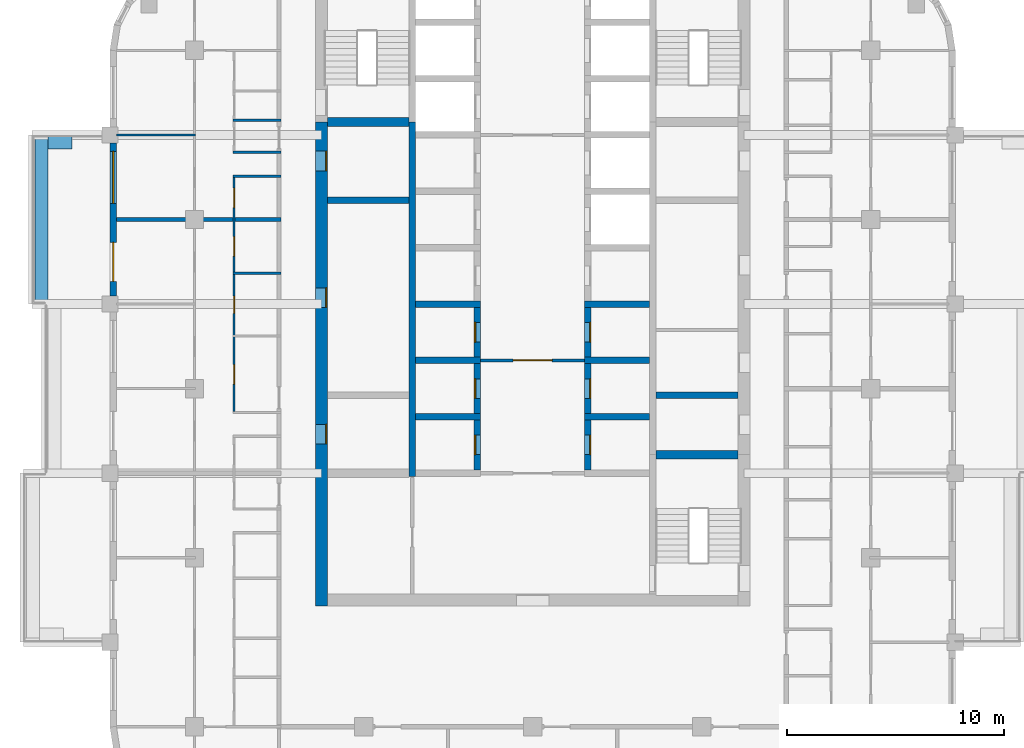
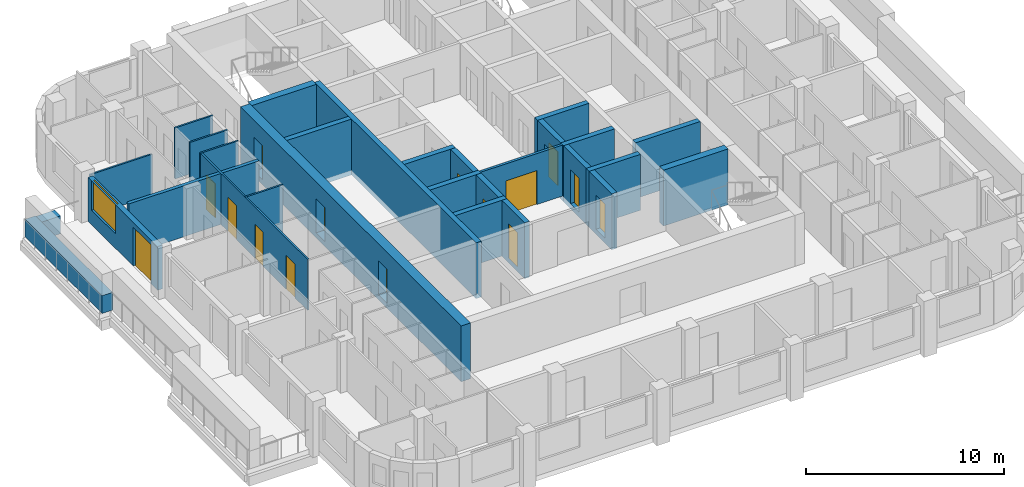
# One storey, part 4 of 13: 29 walls, 15 doors, 1 window, 16 openings.
"""IFC4 building model written with IfcOpenShell, lengths in metres."""

from ifc_helpers import new_model, si_unit, direction, frame, frame_2d, origin, place, context, subcontext, project, spatial, rectangle, extrude, material, layer, layer_set, type_object, element, fill, save


model = new_model("IFC4")

# Units and contexts
model_context = context("Model", 3, precision=1e-05, world=origin(), true_north=direction((0.0, 1.0)))
body_context = subcontext(model_context, "Body", "Model", "MODEL_VIEW")
ifc_project = project(units=[si_unit("LENGTHUNIT", "METRE"), si_unit("AREAUNIT", "SQUARE_METRE"), si_unit("VOLUMEUNIT", "CUBIC_METRE"), si_unit("PLANEANGLEUNIT", "RADIAN"), si_unit("MASSUNIT", "GRAM", prefix="KILO")], contexts=[model_context])

# Site, building, storey
site_placement = place(None, origin())
site = spatial("IfcSite", under=ifc_project, at=site_placement, CompositionType="ELEMENT")
building_placement = place(site_placement, origin())
building = spatial("IfcBuilding", under=site, at=building_placement, Name="Ludao Terraces", CompositionType="ELEMENT")
storey_placement = place(building_placement, frame((0.0, 0.0, 148.60009765625)))
storey = spatial("IfcBuildingStorey", under=building, at=storey_placement, Name="L40", CompositionType="ELEMENT", Elevation=148.60009765625)

# Wall, openings, doors
ifc_material_1 = material(Name="Concrete C60", Category="concrete")
ifc_layer_1 = layer(ifc_material_1, 0.550048828125)
ifc_layer_set_1 = layer_set([ifc_layer_1], Name="Core wall 550 C60")
wall_type_1 = type_object("IfcWallType", Name="Core wall 550 C60", PredefinedType="SOLIDWALL", material=ifc_layer_set_1)
wall_1_placement = place(storey_placement, frame((75.25, 54.97509765625, -0.300048828125), z_axis=(0.0, 0.0, 1.0), x_axis=(0.0, 1.0, 0.0)))
wall_1 = element("IfcWall", 1, at=wall_1_placement, inside=storey, type_object=wall_type_1, Name="Core wall L40 outer-W", PredefinedType="SOLIDWALL", context=body_context, shape_type="SweptSolid", body=[
    extrude(rectangle(XDim=22.324951171875, YDim=0.550048828125, at=frame_2d((11.16259765625, 0.0))), origin(), (0.0, 0.0, 1.0), 3.449951171875),
])
opening_1_placement = place(wall_1_placement, frame((7.47509765625, 0.0, 0.300048828125)))
opening_1 = element("IfcOpeningElement", 2, at=opening_1_placement, cuts=wall_1, Name="Opening R14-033", PredefinedType="OPENING", context=body_context, shape_type="SweptSolid", body=[
    extrude(rectangle(XDim=0.89990234375, YDim=2.10009765625, at=frame_2d((0.449951171875, 1.050048828125))), frame((0.0, 0.28515625, 0.0), z_axis=(0.0, -1.0, 0.0), x_axis=(1.0, 0.0, 0.0)), (0.0, 0.0, 1.0), 0.570068359375),
])
opening_2_placement = place(wall_1_placement, frame((13.77490234375, 0.0, 0.300048828125)))
opening_2 = element("IfcOpeningElement", 3, at=opening_2_placement, cuts=wall_1, Name="Opening R14-051", PredefinedType="OPENING", context=body_context, shape_type="SweptSolid", body=[
    extrude(rectangle(XDim=0.89990234375, YDim=2.10009765625, at=frame_2d((0.449951171875, 1.050048828125))), frame((0.0, 0.28515625, 0.0), z_axis=(0.0, -1.0, 0.0), x_axis=(1.0, 0.0, 0.0)), (0.0, 0.0, 1.0), 0.570068359375),
])
opening_3_placement = place(wall_1_placement, frame((20.074951171875, 0.0, 0.300048828125)))
opening_3 = element("IfcOpeningElement", 4, at=opening_3_placement, cuts=wall_1, Name="Opening R14-069", PredefinedType="OPENING", context=body_context, shape_type="SweptSolid", body=[
    extrude(rectangle(XDim=0.89990234375, YDim=2.10009765625, at=frame_2d((0.449951171875, 1.050048828125))), frame((0.0, 0.28515625, 0.0), z_axis=(0.0, -1.0, 0.0), x_axis=(1.0, 0.0, 0.0)), (0.0, 0.0, 1.0), 0.570068359375),
])
ifc_material_2 = material(Name="Steel Q235", Category="steel")
door_type_1 = type_object("IfcDoorType", Name="INT Riser door 900", OperationType="SINGLE_SWING_LEFT", PredefinedType="DOOR", material=ifc_material_2)
door_1_placement = place(opening_1_placement, origin())
door_1 = element("IfcDoor", 5, at=door_1_placement, inside=storey, type_object=door_type_1, Name="DOOR 033", OperationType="SINGLE_SWING_RIGHT", OverallHeight=2.10009765625, OverallWidth=0.89990234375, PredefinedType="DOOR", context=body_context, shape_type="SweptSolid", body=[
    extrude(rectangle(XDim=0.89990234375, YDim=2.10009765625, at=frame_2d((0.449951171875, 1.050048828125))), frame((0.0, -0.2099609375, 0.0), z_axis=(0.0, -1.0, 0.0), x_axis=(1.0, 0.0, 0.0)), (0.0, 0.0, 1.0), 0.050048828125),
])
fill(opening_1, door_1)
door_2_placement = place(opening_3_placement, origin())
door_2 = element("IfcDoor", 6, at=door_2_placement, inside=storey, type_object=door_type_1, Name="DOOR 069", OperationType="SINGLE_SWING_LEFT", OverallHeight=2.10009765625, OverallWidth=0.89990234375, PredefinedType="DOOR", context=body_context, shape_type="SweptSolid", body=[
    extrude(rectangle(XDim=0.89990234375, YDim=2.10009765625, at=frame_2d((0.449951171875, 1.050048828125))), frame((0.0, -0.2099609375, 0.0), z_axis=(0.0, -1.0, 0.0), x_axis=(1.0, 0.0, 0.0)), (0.0, 0.0, 1.0), 0.050048828125),
])
fill(opening_3, door_2)
ifc_material_3 = material(Name="Timber door leaf", Category="wood")
door_type_2 = type_object("IfcDoorType", Name="INT Room door 900", OperationType="SINGLE_SWING_LEFT", PredefinedType="DOOR", material=ifc_material_3)
door_3_placement = place(opening_2_placement, origin())
door_3 = element("IfcDoor", 7, at=door_3_placement, inside=storey, type_object=door_type_2, Name="DOOR 051", OperationType="SINGLE_SWING_LEFT", OverallHeight=2.10009765625, OverallWidth=0.89990234375, PredefinedType="DOOR", context=body_context, shape_type="SweptSolid", body=[
    extrude(rectangle(XDim=0.89990234375, YDim=2.10009765625, at=frame_2d((0.449951171875, 1.050048828125))), frame((0.0, -0.2099609375, 0.0), z_axis=(0.0, -1.0, 0.0), x_axis=(1.0, 0.0, 0.0)), (0.0, 0.0, 1.0), 0.050048828125),
])
fill(opening_2, door_3)

# Walls
ifc_material_4 = material(Name="Concrete C40", Category="concrete")
ifc_layer_2 = layer(ifc_material_4, 0.60009765625)
ifc_layer_set_2 = layer_set([ifc_layer_2], Name="ENV Planter trough 600")
wall_type_2 = type_object("IfcWallType", Name="ENV Planter trough 600", PredefinedType="USERDEFINED", material=ifc_layer_set_2)
wall_2_placement = place(storey_placement, frame((62.35009765625, 68.89990234375, 0.0), z_axis=(0.0, 0.0, 1.0), x_axis=(0.0, 1.0, 0.0)))
element("IfcWall", 8, at=wall_2_placement, inside=storey, type_object=wall_type_2, Name="PL-L40-W3", ObjectType="PLANTER", PredefinedType="USERDEFINED", context=body_context, shape_type="SweptSolid", body=[
    extrude(rectangle(XDim=7.800048828125, YDim=0.60009765625, at=frame_2d((3.89990234375, 0.0))), origin(), (0.0, 0.0, 1.0), 1.099853515625),
])
wall_3_placement = place(storey_placement, frame((62.64990234375, 76.35009765625, 0.0), z_axis=(0.0, 0.0, 1.0), x_axis=(1.0, 0.0, 0.0)))
element("IfcWall", 9, at=wall_3_placement, inside=storey, type_object=wall_type_2, Name="PL-L40-W3-SB", ObjectType="PLANTER", PredefinedType="USERDEFINED", context=body_context, shape_type="SweptSolid", body=[
    extrude(rectangle(XDim=1.10009765625, YDim=0.60009765625, at=frame_2d((0.550048828125, 0.0))), origin(), (0.0, 0.0, 1.0), 1.099853515625),
])

# Wall, openings, door, window
ifc_material_5 = material(Name="Granite cladding", Category="masonry")
ifc_layer_3 = layer(ifc_material_5, 0.0400390625, Category="stone")
ifc_material_6 = material(Name="Mineral wool")
ifc_layer_4 = layer(ifc_material_6, 0.06005859375)
ifc_layer_5 = layer(ifc_material_4, 0.199951171875, Category="concrete")
ifc_layer_set_3 = layer_set([ifc_layer_3, ifc_layer_4, ifc_layer_5], Name="ENV Stone-clad wall 300")
wall_type_3 = type_object("IfcWallType", Name="ENV Stone-clad wall 300", PredefinedType="SOLIDWALL", material=ifc_layer_set_3)
wall_4_placement = place(storey_placement, frame((65.64990234375, 69.27490234375, 0.0), z_axis=(0.0, 0.0, 1.0), x_axis=(0.0, 1.0, 0.0)))
wall_4 = element("IfcWall", 10, at=wall_4_placement, inside=storey, type_object=wall_type_3, Name="EW-L40-W4", PredefinedType="SOLIDWALL", context=body_context, shape_type="SweptSolid", body=[
    extrude(rectangle(XDim=7.050048828125, YDim=0.300048828125, at=frame_2d((3.52490234375, 0.0))), origin(), (0.0, 0.0, 1.0), 2.699951171875),
])
opening_4_placement = place(wall_4_placement, frame((0.675048828125, 0.0, 0.0)))
opening_4 = element("IfcOpeningElement", 11, at=opening_4_placement, cuts=wall_4, Name="Opening BD", PredefinedType="OPENING", context=body_context, shape_type="SweptSolid", body=[
    extrude(rectangle(XDim=1.800048828125, YDim=2.39990234375, at=frame_2d((0.89990234375, 1.199951171875))), frame((0.0, 0.16015625, 0.0), z_axis=(0.0, -1.0, 0.0), x_axis=(1.0, 0.0, 0.0)), (0.0, 0.0, 1.0), 0.320068359375),
])
opening_5_placement = place(wall_4_placement, frame((4.27490234375, 0.0, 0.89990234375)))
opening_5 = element("IfcOpeningElement", 12, at=opening_5_placement, cuts=wall_4, Name="Opening W1", PredefinedType="OPENING", context=body_context, shape_type="SweptSolid", body=[
    extrude(rectangle(XDim=2.39990234375, YDim=1.800048828125, at=frame_2d((1.199951171875, 0.89990234375))), frame((0.0, 0.16015625, 0.0), z_axis=(0.0, -1.0, 0.0), x_axis=(1.0, 0.0, 0.0)), (0.0, 0.0, 1.0), 0.320068359375),
])
ifc_material_7 = material(Name="Aluminium glazed door", Category="aluminium")
ifc_layer_6 = layer(ifc_material_7, 0.06005859375)
ifc_layer_set_4 = layer_set([ifc_layer_6], Name="ENV Balcony door BD 1800x2400")
door_type_3 = type_object("IfcDoorType", Name="ENV Balcony door BD 1800x2400", OperationType="DOUBLE_DOOR_SINGLE_SWING", PredefinedType="DOOR", material=ifc_layer_set_4)
door_4_placement = place(opening_4_placement, origin())
door_4 = element("IfcDoor", 13, at=door_4_placement, inside=storey, type_object=door_type_3, Name="BD-L40-W4-1", OperationType="DOUBLE_DOOR_SINGLE_SWING", OverallHeight=2.39990234375, OverallWidth=1.800048828125, PredefinedType="DOOR", context=body_context, shape_type="SweptSolid", body=[
    extrude(rectangle(XDim=1.800048828125, YDim=2.39990234375, at=frame_2d((0.89990234375, 1.199951171875))), frame((0.0, 0.02490234375, 0.0), z_axis=(0.0, -1.0, 0.0), x_axis=(1.0, 0.0, 0.0)), (0.0, 0.0, 1.0), 0.050048828125),
])
fill(opening_4, door_4)
ifc_material_8 = material(Name="Clear glass in aluminium frame", Category="aluminium")
ifc_layer_7 = layer(ifc_material_8, 0.06005859375)
ifc_layer_set_5 = layer_set([ifc_layer_7], Name="ENV Window W1 2400x1800")
window_type = type_object("IfcWindowType", Name="ENV Window W1 2400x1800", PartitioningType="DOUBLE_PANEL_VERTICAL", PredefinedType="WINDOW", material=ifc_layer_set_5)
window_placement = place(opening_5_placement, origin())
window = element("IfcWindow", 14, at=window_placement, inside=storey, type_object=window_type, Name="W-L40-W4-2", OverallHeight=1.800048828125, OverallWidth=2.39990234375, PartitioningType="DOUBLE_PANEL_VERTICAL", PredefinedType="WINDOW", context=body_context, shape_type="SweptSolid", body=[
    extrude(rectangle(XDim=2.39990234375, YDim=1.800048828125, at=frame_2d((1.199951171875, 0.89990234375))), frame((0.0, 0.030029296875, 0.0), z_axis=(0.0, -1.0, 0.0), x_axis=(1.0, 0.0, 0.0)), (0.0, 0.0, 1.0), 0.06005859375),
])
fill(opening_5, window)

# Wall, opening, door
ifc_material_9 = material(Name="Fire-rated gypsum plasterboard", Category="gypsum")
ifc_layer_8 = layer(ifc_material_9, 0.012451171875, Category="gypsum")
ifc_layer_9 = layer(ifc_material_6, 0.10009765625, Name="insulation")
ifc_layer_10 = layer(ifc_material_2, 0.02490234375, Name="stud")
ifc_layer_11 = layer(ifc_material_9, 0.012451171875, Category="gypsum")
ifc_layer_set_6 = layer_set([ifc_layer_8, ifc_layer_9, ifc_layer_10, ifc_layer_11], Name="INT Core partition 150")
wall_type_4 = type_object("IfcWallType", Name="INT Core partition 150", PredefinedType="PARTITIONING", material=ifc_layer_set_6)
wall_5_placement = place(storey_placement, frame((82.60009765625, 66.300048828125, 0.0), z_axis=(0.0, 0.0, 1.0), x_axis=(1.0, 0.0, 0.0)))
wall_5 = element("IfcWall", 15, at=wall_5_placement, inside=storey, type_object=wall_type_4, Name="PW-L40-PW024", PredefinedType="PARTITIONING", context=body_context, shape_type="SweptSolid", body=[
    extrude(rectangle(XDim=4.800048828125, YDim=0.14990234375, at=frame_2d((2.39990234375, 0.0))), origin(), (0.0, 0.0, 1.0), 3.14990234375),
])
opening_6_placement = place(wall_5_placement, frame((1.5, 0.0, 0.0)))
opening_6 = element("IfcOpeningElement", 16, at=opening_6_placement, cuts=wall_5, Name="Opening R14-044", PredefinedType="OPENING", context=body_context, shape_type="SweptSolid", body=[
    extrude(rectangle(XDim=1.800048828125, YDim=2.10009765625, at=frame_2d((0.89990234375, 1.050048828125))), frame((0.0, 0.0849609375, 0.0), z_axis=(0.0, -1.0, 0.0), x_axis=(1.0, 0.0, 0.0)), (0.0, 0.0, 1.0), 0.169921875),
])
door_type_4 = type_object("IfcDoorType", Name="INT Fire lobby door 1800", OperationType="DOUBLE_DOOR_SINGLE_SWING", PredefinedType="DOOR", material=ifc_material_2)
door_5_placement = place(opening_6_placement, origin())
door_5 = element("IfcDoor", 17, at=door_5_placement, inside=storey, type_object=door_type_4, Name="DOOR 044", OperationType="DOUBLE_DOOR_SINGLE_SWING", OverallHeight=2.10009765625, OverallWidth=1.800048828125, PredefinedType="DOOR", context=body_context, shape_type="SweptSolid", body=[
    extrude(rectangle(XDim=1.800048828125, YDim=2.10009765625, at=frame_2d((0.89990234375, 1.050048828125))), frame((0.0, 0.02490234375, 0.0), z_axis=(0.0, -1.0, 0.0), x_axis=(1.0, 0.0, 0.0)), (0.0, 0.0, 1.0), 0.050048828125),
])
fill(opening_6, door_5)

# Walls
ifc_material_10 = material(Name="Gypsum plasterboard", Category="gypsum")
ifc_layer_12 = layer(ifc_material_10, 0.012451171875, Category="gypsum")
ifc_layer_13 = layer(ifc_material_6, 0.06005859375, Name="insulation")
ifc_layer_14 = layer(ifc_material_2, 0.014892578125, Name="stud")
ifc_layer_15 = layer(ifc_material_10, 0.012451171875, Category="gypsum")
ifc_layer_set_7 = layer_set([ifc_layer_12, ifc_layer_13, ifc_layer_14, ifc_layer_15], Name="INT Partition 100")
wall_type_5 = type_object("IfcWallType", Name="INT Partition 100", PredefinedType="PARTITIONING", material=ifc_layer_set_7)
for number, where, z_axis, x_axis, name in (
    (18, (71.18017578125, 70.320068359375, 0.0), (0.0, 0.0, 1.0), (1.0, 0.0, 0.0), "PW-L40-PW030"),
    (19, (71.18017578125, 74.800048828125, 0.0), (0.0, 0.0, 1.0), (1.0, 0.0, 0.0), "PW-L40-PW035"),
    (20, (71.18017578125, 75.89990234375, 0.0), (0.0, 0.0, 1.0), (1.0, 0.0, 0.0), "PW-L40-PW037"),
):
    element("IfcWall", number, at=place(storey_placement, frame(where, z_axis=z_axis, x_axis=x_axis)), inside=storey, type_object=wall_type_5, Name=name, PredefinedType="PARTITIONING", context=body_context, shape_type="SweptSolid", body=[
        extrude(rectangle(XDim=2.219970703125, YDim=0.10009765625, at=frame_2d((1.10986328125, 0.0))), origin(), (0.0, 0.0, 1.0), 3.14990234375),
    ])
wall_6_placement = place(storey_placement, frame((65.800048828125, 76.699951171875, 0.0), z_axis=(0.0, 0.0, 1.0), x_axis=(1.0, 0.0, 0.0)))
element("IfcWall", 21, at=wall_6_placement, inside=storey, type_object=wall_type_5, Name="PW-L40-PW039", PredefinedType="PARTITIONING", context=body_context, shape_type="SweptSolid", body=[
    extrude(rectangle(XDim=3.650146484375, YDim=0.10009765625, at=frame_2d((1.8251953125, 0.0))), origin(), (0.0, 0.0, 1.0), 2.5498046875),
])
wall_7_placement = place(storey_placement, frame((71.18017578125, 77.3798828125, 0.0), z_axis=(0.0, 0.0, 1.0), x_axis=(1.0, 0.0, 0.0)))
element("IfcWall", 22, at=wall_7_placement, inside=storey, type_object=wall_type_5, Name="PW-L40-PW043", PredefinedType="PARTITIONING", context=body_context, shape_type="SweptSolid", body=[
    extrude(rectangle(XDim=2.219970703125, YDim=0.10009765625, at=frame_2d((1.10986328125, 0.0))), origin(), (0.0, 0.0, 1.0), 3.14990234375),
])

# Wall, openings, doors
wall_8_placement = place(storey_placement, frame((71.22998046875, 63.9501953125, 0.0), z_axis=(0.0, 0.0, 1.0), x_axis=(0.0, 1.0, 0.0)))
wall_8 = element("IfcWall", 23, at=wall_8_placement, inside=storey, type_object=wall_type_5, Name="PW-L40-PW051", PredefinedType="PARTITIONING", context=body_context, shape_type="SweptSolid", body=[
    extrude(rectangle(XDim=10.7998046875, YDim=0.10009765625, at=frame_2d((5.39990234375, 0.0))), origin(), (0.0, 0.0, 1.0), 3.14990234375),
])
opening_7_placement = place(wall_8_placement, frame((1.260009765625, 0.0, 0.0)))
opening_7 = element("IfcOpeningElement", 24, at=opening_7_placement, cuts=wall_8, Name="Opening R14-041", PredefinedType="OPENING", context=body_context, shape_type="SweptSolid", body=[
    extrude(rectangle(XDim=0.89990234375, YDim=2.10009765625, at=frame_2d((0.449951171875, 1.050048828125))), frame((0.0, 0.06005859375, 0.0), z_axis=(0.0, -1.0, 0.0), x_axis=(1.0, 0.0, 0.0)), (0.0, 0.0, 1.0), 0.1201171875),
])
opening_8_placement = place(wall_8_placement, frame((4.52001953125, 0.0, 0.0)))
opening_8 = element("IfcOpeningElement", 25, at=opening_8_placement, cuts=wall_8, Name="Opening R14-049", PredefinedType="OPENING", context=body_context, shape_type="SweptSolid", body=[
    extrude(rectangle(XDim=0.800048828125, YDim=2.10009765625, at=frame_2d((0.39990234375, 1.050048828125))), frame((0.0, 0.06005859375, 0.0), z_axis=(0.0, -1.0, 0.0), x_axis=(1.0, 0.0, 0.0)), (0.0, 0.0, 1.0), 0.1201171875),
])
opening_9_placement = place(wall_8_placement, frame((7.159912109375, 0.0, 0.0)))
opening_9 = element("IfcOpeningElement", 26, at=opening_9_placement, cuts=wall_8, Name="Opening R14-058", PredefinedType="OPENING", context=body_context, shape_type="SweptSolid", body=[
    extrude(rectangle(XDim=0.89990234375, YDim=2.10009765625, at=frame_2d((0.449951171875, 1.050048828125))), frame((0.0, 0.06005859375, 0.0), z_axis=(0.0, -1.0, 0.0), x_axis=(1.0, 0.0, 0.0)), (0.0, 0.0, 1.0), 0.1201171875),
])
opening_10_placement = place(wall_8_placement, frame((9.39990234375, 0.0, 0.0)))
opening_10 = element("IfcOpeningElement", 27, at=opening_10_placement, cuts=wall_8, Name="Opening R14-062", PredefinedType="OPENING", context=body_context, shape_type="SweptSolid", body=[
    extrude(rectangle(XDim=0.89990234375, YDim=2.10009765625, at=frame_2d((0.449951171875, 1.050048828125))), frame((0.0, 0.06005859375, 0.0), z_axis=(0.0, -1.0, 0.0), x_axis=(1.0, 0.0, 0.0)), (0.0, 0.0, 1.0), 0.1201171875),
])
door_type_5 = type_object("IfcDoorType", Name="INT Bathroom door 900", OperationType="SINGLE_SWING_LEFT", PredefinedType="DOOR", material=ifc_material_3)
door_6_placement = place(opening_9_placement, origin())
door_6 = element("IfcDoor", 28, at=door_6_placement, inside=storey, type_object=door_type_5, Name="DOOR 058", OperationType="SINGLE_SWING_LEFT", OverallHeight=2.10009765625, OverallWidth=0.89990234375, PredefinedType="DOOR", context=body_context, shape_type="SweptSolid", body=[
    extrude(rectangle(XDim=0.89990234375, YDim=2.10009765625, at=frame_2d((0.449951171875, 1.050048828125))), frame((0.0, 0.02490234375, 0.0), z_axis=(0.0, -1.0, 0.0), x_axis=(1.0, 0.0, 0.0)), (0.0, 0.0, 1.0), 0.050048828125),
])
fill(opening_9, door_6)
door_7_placement = place(opening_10_placement, origin())
door_7 = element("IfcDoor", 29, at=door_7_placement, inside=storey, type_object=door_type_5, Name="DOOR 062", OperationType="SINGLE_SWING_RIGHT", OverallHeight=2.10009765625, OverallWidth=0.89990234375, PredefinedType="DOOR", context=body_context, shape_type="SweptSolid", body=[
    extrude(rectangle(XDim=0.89990234375, YDim=2.10009765625, at=frame_2d((0.449951171875, 1.050048828125))), frame((0.0, 0.02490234375, 0.0), z_axis=(0.0, -1.0, 0.0), x_axis=(1.0, 0.0, 0.0)), (0.0, 0.0, 1.0), 0.050048828125),
])
fill(opening_10, door_7)
door_8_placement = place(opening_7_placement, origin())
door_8 = element("IfcDoor", 30, at=door_8_placement, inside=storey, type_object=door_type_2, Name="DOOR 041", OperationType="SINGLE_SWING_RIGHT", OverallHeight=2.10009765625, OverallWidth=0.89990234375, PredefinedType="DOOR", context=body_context, shape_type="SweptSolid", body=[
    extrude(rectangle(XDim=0.89990234375, YDim=2.10009765625, at=frame_2d((0.449951171875, 1.050048828125))), frame((0.0, 0.02490234375, 0.0), z_axis=(0.0, -1.0, 0.0), x_axis=(1.0, 0.0, 0.0)), (0.0, 0.0, 1.0), 0.050048828125),
])
fill(opening_7, door_8)
door_type_6 = type_object("IfcDoorType", Name="INT Store door 800", OperationType="SINGLE_SWING_LEFT", PredefinedType="DOOR", material=ifc_material_3)
door_9_placement = place(opening_8_placement, origin())
door_9 = element("IfcDoor", 31, at=door_9_placement, inside=storey, type_object=door_type_6, Name="DOOR 049", OperationType="SINGLE_SWING_RIGHT", OverallHeight=2.10009765625, OverallWidth=0.800048828125, PredefinedType="DOOR", context=body_context, shape_type="SweptSolid", body=[
    extrude(rectangle(XDim=0.800048828125, YDim=2.10009765625, at=frame_2d((0.39990234375, 1.050048828125))), frame((0.0, 0.02490234375, 0.0), z_axis=(0.0, -1.0, 0.0), x_axis=(1.0, 0.0, 0.0)), (0.0, 0.0, 1.0), 0.050048828125),
])
fill(opening_8, door_9)

# Walls
ifc_material_11 = material(Name="Autoclaved aerated concrete block B06 A3.5", Category="concrete")
ifc_layer_16 = layer(ifc_material_11, 0.199951171875)
ifc_layer_set_8 = layer_set([ifc_layer_16], Name="INT Party wall 200")
wall_type_6 = type_object("IfcWallType", Name="INT Party wall 200", PredefinedType="PARTITIONING", material=ifc_layer_set_8)
wall_9_placement = place(storey_placement, frame((65.800048828125, 72.800048828125, 0.0), z_axis=(0.0, 0.0, 1.0), x_axis=(1.0, 0.0, 0.0)))
element("IfcWall", 32, at=wall_9_placement, inside=storey, type_object=wall_type_6, Name="PW-L40-PW033", PredefinedType="PARTITIONING", context=body_context, shape_type="SweptSolid", body=[
    extrude(rectangle(XDim=7.60009765625, YDim=0.199951171875, at=frame_2d((3.800048828125, 0.0))), origin(), (0.0, 0.0, 1.0), 3.14990234375),
])
ifc_material_12 = material(Name="Concrete C55", Category="concrete")
ifc_layer_17 = layer(ifc_material_12, 0.300048828125)
ifc_layer_set_9 = layer_set([ifc_layer_17], Name="Shaft wall 300 C55")
wall_type_7 = type_object("IfcWallType", Name="Shaft wall 300 C55", PredefinedType="SOLIDWALL", material=ifc_layer_set_9)
wall_10_placement = place(storey_placement, frame((79.449951171875, 60.949951171875, -0.300048828125), z_axis=(0.0, 0.0, 1.0), x_axis=(0.0, 1.0, 0.0)))
element("IfcWall", 33, at=wall_10_placement, inside=storey, type_object=wall_type_7, Name="Core wall L40 back-W", PredefinedType="SOLIDWALL", context=body_context, shape_type="SweptSolid", body=[
    extrude(rectangle(XDim=16.35009765625, YDim=0.300048828125, at=frame_2d((8.175048828125, 0.0))), origin(), (0.0, 0.0, 1.0), 3.449951171875),
])

# Wall, opening, door
wall_11_placement = place(storey_placement, frame((82.449951171875, 61.25, -0.300048828125), z_axis=(0.0, 0.0, 1.0), x_axis=(0.0, 1.0, 0.0)))
wall_11 = element("IfcWall", 34, at=wall_11_placement, inside=storey, type_object=wall_type_7, Name="Core wall L40 front-W1", PredefinedType="SOLIDWALL", context=body_context, shape_type="SweptSolid", body=[
    extrude(rectangle(XDim=2.300048828125, YDim=0.300048828125, at=frame_2d((1.14990234375, 0.0))), origin(), (0.0, 0.0, 1.0), 3.449951171875),
])
opening_11_placement = place(wall_11_placement, frame((0.699951171875, 0.0, 0.300048828125)))
opening_11 = element("IfcOpeningElement", 35, at=opening_11_placement, cuts=wall_11, Name="Opening R14-031", PredefinedType="OPENING", context=body_context, shape_type="SweptSolid", body=[
    extrude(rectangle(XDim=0.89990234375, YDim=2.10009765625, at=frame_2d((0.449951171875, 1.050048828125))), frame((0.0, 0.16015625, 0.0), z_axis=(0.0, -1.0, 0.0), x_axis=(1.0, 0.0, 0.0)), (0.0, 0.0, 1.0), 0.320068359375),
])
door_10_placement = place(opening_11_placement, origin())
door_10 = element("IfcDoor", 36, at=door_10_placement, inside=storey, type_object=door_type_2, Name="DOOR 031", OperationType="SINGLE_SWING_RIGHT", OverallHeight=2.10009765625, OverallWidth=0.89990234375, PredefinedType="DOOR", context=body_context, shape_type="SweptSolid", body=[
    extrude(rectangle(XDim=0.89990234375, YDim=2.10009765625, at=frame_2d((0.449951171875, 1.050048828125))), frame((0.0, 0.13525390625, 0.0), z_axis=(0.0, -1.0, 0.0), x_axis=(1.0, 0.0, 0.0)), (0.0, 0.0, 1.0), 0.050048828125),
])
fill(opening_11, door_10)

# Wall
wall_12_placement = place(storey_placement, frame((79.60009765625, 63.699951171875, -0.300048828125), z_axis=(0.0, 0.0, 1.0), x_axis=(1.0, 0.0, 0.0)))
element("IfcWall", 37, at=wall_12_placement, inside=storey, type_object=wall_type_7, Name="Core wall L40 div-W2", PredefinedType="SOLIDWALL", context=body_context, shape_type="SweptSolid", body=[
    extrude(rectangle(XDim=3.0, YDim=0.300048828125, at=frame_2d((1.5, 0.0))), origin(), (0.0, 0.0, 1.0), 3.449951171875),
])

# Wall, opening, door
wall_13_placement = place(storey_placement, frame((82.449951171875, 63.85009765625, -0.300048828125), z_axis=(0.0, 0.0, 1.0), x_axis=(0.0, 1.0, 0.0)))
wall_13 = element("IfcWall", 38, at=wall_13_placement, inside=storey, type_object=wall_type_7, Name="Core wall L40 front-W2", PredefinedType="SOLIDWALL", context=body_context, shape_type="SweptSolid", body=[
    extrude(rectangle(XDim=2.2998046875, YDim=0.300048828125, at=frame_2d((1.14990234375, 0.0))), origin(), (0.0, 0.0, 1.0), 3.449951171875),
])
opening_12_placement = place(wall_13_placement, frame((0.699951171875, 0.0, 0.300048828125)))
opening_12 = element("IfcOpeningElement", 39, at=opening_12_placement, cuts=wall_13, Name="Opening R14-039", PredefinedType="OPENING", context=body_context, shape_type="SweptSolid", body=[
    extrude(rectangle(XDim=0.89990234375, YDim=2.10009765625, at=frame_2d((0.449951171875, 1.050048828125))), frame((0.0, 0.16015625, 0.0), z_axis=(0.0, -1.0, 0.0), x_axis=(1.0, 0.0, 0.0)), (0.0, 0.0, 1.0), 0.320068359375),
])
door_11_placement = place(opening_12_placement, origin())
door_11 = element("IfcDoor", 40, at=door_11_placement, inside=storey, type_object=door_type_2, Name="DOOR 039", OperationType="SINGLE_SWING_LEFT", OverallHeight=2.10009765625, OverallWidth=0.89990234375, PredefinedType="DOOR", context=body_context, shape_type="SweptSolid", body=[
    extrude(rectangle(XDim=0.89990234375, YDim=2.10009765625, at=frame_2d((0.449951171875, 1.050048828125))), frame((0.0, 0.13525390625, 0.0), z_axis=(0.0, -1.0, 0.0), x_axis=(1.0, 0.0, 0.0)), (0.0, 0.0, 1.0), 0.050048828125),
])
fill(opening_12, door_11)

# Wall
wall_14_placement = place(storey_placement, frame((79.60009765625, 66.300048828125, -0.300048828125), z_axis=(0.0, 0.0, 1.0), x_axis=(1.0, 0.0, 0.0)))
element("IfcWall", 41, at=wall_14_placement, inside=storey, type_object=wall_type_7, Name="Core wall L40 div-W3", PredefinedType="SOLIDWALL", context=body_context, shape_type="SweptSolid", body=[
    extrude(rectangle(XDim=3.0, YDim=0.300048828125, at=frame_2d((1.5, 0.0))), origin(), (0.0, 0.0, 1.0), 3.449951171875),
])

# Wall, opening, door
wall_15_placement = place(storey_placement, frame((82.449951171875, 66.449951171875, -0.300048828125), z_axis=(0.0, 0.0, 1.0), x_axis=(0.0, 1.0, 0.0)))
wall_15 = element("IfcWall", 42, at=wall_15_placement, inside=storey, type_object=wall_type_7, Name="Core wall L40 front-W3", PredefinedType="SOLIDWALL", context=body_context, shape_type="SweptSolid", body=[
    extrude(rectangle(XDim=2.300048828125, YDim=0.300048828125, at=frame_2d((1.14990234375, 0.0))), origin(), (0.0, 0.0, 1.0), 3.449951171875),
])
opening_13_placement = place(wall_15_placement, frame((0.699951171875, 0.0, 0.300048828125)))
opening_13 = element("IfcOpeningElement", 43, at=opening_13_placement, cuts=wall_15, Name="Opening R14-047", PredefinedType="OPENING", context=body_context, shape_type="SweptSolid", body=[
    extrude(rectangle(XDim=0.89990234375, YDim=2.10009765625, at=frame_2d((0.449951171875, 1.050048828125))), frame((0.0, 0.16015625, 0.0), z_axis=(0.0, -1.0, 0.0), x_axis=(1.0, 0.0, 0.0)), (0.0, 0.0, 1.0), 0.320068359375),
])
door_12_placement = place(opening_13_placement, origin())
door_12 = element("IfcDoor", 44, at=door_12_placement, inside=storey, type_object=door_type_2, Name="DOOR 047", OperationType="SINGLE_SWING_RIGHT", OverallHeight=2.10009765625, OverallWidth=0.89990234375, PredefinedType="DOOR", context=body_context, shape_type="SweptSolid", body=[
    extrude(rectangle(XDim=0.89990234375, YDim=2.10009765625, at=frame_2d((0.449951171875, 1.050048828125))), frame((0.0, 0.13525390625, 0.0), z_axis=(0.0, -1.0, 0.0), x_axis=(1.0, 0.0, 0.0)), (0.0, 0.0, 1.0), 0.050048828125),
])
fill(opening_13, door_12)

# Wall
wall_16_placement = place(storey_placement, frame((79.60009765625, 68.89990234375, -0.300048828125), z_axis=(0.0, 0.0, 1.0), x_axis=(1.0, 0.0, 0.0)))
element("IfcWall", 45, at=wall_16_placement, inside=storey, type_object=wall_type_7, Name="Core wall L40 div-W4", PredefinedType="SOLIDWALL", context=body_context, shape_type="SweptSolid", body=[
    extrude(rectangle(XDim=3.0, YDim=0.300048828125, at=frame_2d((1.5, 0.0))), origin(), (0.0, 0.0, 1.0), 3.449951171875),
])

# Wall, opening, door
wall_17_placement = place(storey_placement, frame((87.550048828125, 61.25, -0.300048828125), z_axis=(0.0, 0.0, 1.0), x_axis=(0.0, 1.0, 0.0)))
wall_17 = element("IfcWall", 46, at=wall_17_placement, inside=storey, type_object=wall_type_7, Name="Core wall L40 front-E1", PredefinedType="SOLIDWALL", context=body_context, shape_type="SweptSolid", body=[
    extrude(rectangle(XDim=2.300048828125, YDim=0.300048828125, at=frame_2d((1.14990234375, 0.0))), origin(), (0.0, 0.0, 1.0), 3.449951171875),
])
opening_14_placement = place(wall_17_placement, frame((0.699951171875, 0.0, 0.300048828125)))
opening_14 = element("IfcOpeningElement", 47, at=opening_14_placement, cuts=wall_17, Name="Opening R14-032", PredefinedType="OPENING", context=body_context, shape_type="SweptSolid", body=[
    extrude(rectangle(XDim=0.89990234375, YDim=2.10009765625, at=frame_2d((0.449951171875, 1.050048828125))), frame((0.0, 0.16015625, 0.0), z_axis=(0.0, -1.0, 0.0), x_axis=(1.0, 0.0, 0.0)), (0.0, 0.0, 1.0), 0.320068359375),
])
door_13_placement = place(opening_14_placement, origin())
door_13 = element("IfcDoor", 48, at=door_13_placement, inside=storey, type_object=door_type_2, Name="DOOR 032", OperationType="SINGLE_SWING_LEFT", OverallHeight=2.10009765625, OverallWidth=0.89990234375, PredefinedType="DOOR", context=body_context, shape_type="SweptSolid", body=[
    extrude(rectangle(XDim=0.89990234375, YDim=2.10009765625, at=frame_2d((0.449951171875, 1.050048828125))), frame((0.0, -0.0849609375, 0.0), z_axis=(0.0, -1.0, 0.0), x_axis=(1.0, 0.0, 0.0)), (0.0, 0.0, 1.0), 0.050048828125),
])
fill(opening_14, door_13)

# Wall
wall_18_placement = place(storey_placement, frame((87.39990234375, 63.699951171875, -0.300048828125), z_axis=(0.0, 0.0, 1.0), x_axis=(1.0, 0.0, 0.0)))
element("IfcWall", 49, at=wall_18_placement, inside=storey, type_object=wall_type_7, Name="Core wall L40 div-E2", PredefinedType="SOLIDWALL", context=body_context, shape_type="SweptSolid", body=[
    extrude(rectangle(XDim=3.0, YDim=0.300048828125, at=frame_2d((1.5, 0.0))), origin(), (0.0, 0.0, 1.0), 3.449951171875),
])

# Wall, opening, door
wall_19_placement = place(storey_placement, frame((87.550048828125, 63.85009765625, -0.300048828125), z_axis=(0.0, 0.0, 1.0), x_axis=(0.0, 1.0, 0.0)))
wall_19 = element("IfcWall", 50, at=wall_19_placement, inside=storey, type_object=wall_type_7, Name="Core wall L40 front-E2", PredefinedType="SOLIDWALL", context=body_context, shape_type="SweptSolid", body=[
    extrude(rectangle(XDim=2.2998046875, YDim=0.300048828125, at=frame_2d((1.14990234375, 0.0))), origin(), (0.0, 0.0, 1.0), 3.449951171875),
])
opening_15_placement = place(wall_19_placement, frame((0.699951171875, 0.0, 0.300048828125)))
opening_15 = element("IfcOpeningElement", 51, at=opening_15_placement, cuts=wall_19, Name="Opening R14-040", PredefinedType="OPENING", context=body_context, shape_type="SweptSolid", body=[
    extrude(rectangle(XDim=0.89990234375, YDim=2.10009765625, at=frame_2d((0.449951171875, 1.050048828125))), frame((0.0, 0.16015625, 0.0), z_axis=(0.0, -1.0, 0.0), x_axis=(1.0, 0.0, 0.0)), (0.0, 0.0, 1.0), 0.320068359375),
])
door_14_placement = place(opening_15_placement, origin())
door_14 = element("IfcDoor", 52, at=door_14_placement, inside=storey, type_object=door_type_2, Name="DOOR 040", OperationType="SINGLE_SWING_RIGHT", OverallHeight=2.10009765625, OverallWidth=0.89990234375, PredefinedType="DOOR", context=body_context, shape_type="SweptSolid", body=[
    extrude(rectangle(XDim=0.89990234375, YDim=2.10009765625, at=frame_2d((0.449951171875, 1.050048828125))), frame((0.0, -0.0849609375, 0.0), z_axis=(0.0, -1.0, 0.0), x_axis=(1.0, 0.0, 0.0)), (0.0, 0.0, 1.0), 0.050048828125),
])
fill(opening_15, door_14)

# Wall
wall_20_placement = place(storey_placement, frame((87.39990234375, 66.300048828125, -0.300048828125), z_axis=(0.0, 0.0, 1.0), x_axis=(1.0, 0.0, 0.0)))
element("IfcWall", 53, at=wall_20_placement, inside=storey, type_object=wall_type_7, Name="Core wall L40 div-E3", PredefinedType="SOLIDWALL", context=body_context, shape_type="SweptSolid", body=[
    extrude(rectangle(XDim=3.0, YDim=0.300048828125, at=frame_2d((1.5, 0.0))), origin(), (0.0, 0.0, 1.0), 3.449951171875),
])

# Wall, opening, door
wall_21_placement = place(storey_placement, frame((87.550048828125, 66.449951171875, -0.300048828125), z_axis=(0.0, 0.0, 1.0), x_axis=(0.0, 1.0, 0.0)))
wall_21 = element("IfcWall", 54, at=wall_21_placement, inside=storey, type_object=wall_type_7, Name="Core wall L40 front-E3", PredefinedType="SOLIDWALL", context=body_context, shape_type="SweptSolid", body=[
    extrude(rectangle(XDim=2.300048828125, YDim=0.300048828125, at=frame_2d((1.14990234375, 0.0))), origin(), (0.0, 0.0, 1.0), 3.449951171875),
])
opening_16_placement = place(wall_21_placement, frame((0.699951171875, 0.0, 0.300048828125)))
opening_16 = element("IfcOpeningElement", 55, at=opening_16_placement, cuts=wall_21, Name="Opening R14-048", PredefinedType="OPENING", context=body_context, shape_type="SweptSolid", body=[
    extrude(rectangle(XDim=0.89990234375, YDim=2.10009765625, at=frame_2d((0.449951171875, 1.050048828125))), frame((0.0, 0.16015625, 0.0), z_axis=(0.0, -1.0, 0.0), x_axis=(1.0, 0.0, 0.0)), (0.0, 0.0, 1.0), 0.320068359375),
])
door_15_placement = place(opening_16_placement, origin())
door_15 = element("IfcDoor", 56, at=door_15_placement, inside=storey, type_object=door_type_2, Name="DOOR 048", OperationType="SINGLE_SWING_LEFT", OverallHeight=2.10009765625, OverallWidth=0.89990234375, PredefinedType="DOOR", context=body_context, shape_type="SweptSolid", body=[
    extrude(rectangle(XDim=0.89990234375, YDim=2.10009765625, at=frame_2d((0.449951171875, 1.050048828125))), frame((0.0, -0.0849609375, 0.0), z_axis=(0.0, -1.0, 0.0), x_axis=(1.0, 0.0, 0.0)), (0.0, 0.0, 1.0), 0.050048828125),
])
fill(opening_16, door_15)

# Walls
wall_22_placement = place(storey_placement, frame((87.39990234375, 68.89990234375, -0.300048828125), z_axis=(0.0, 0.0, 1.0), x_axis=(1.0, 0.0, 0.0)))
element("IfcWall", 57, at=wall_22_placement, inside=storey, type_object=wall_type_7, Name="Core wall L40 div-E4", PredefinedType="SOLIDWALL", context=body_context, shape_type="SweptSolid", body=[
    extrude(rectangle(XDim=3.0, YDim=0.300048828125, at=frame_2d((1.5, 0.0))), origin(), (0.0, 0.0, 1.0), 3.449951171875),
])
for number, where, z_axis, x_axis, name in (
    (58, (75.52490234375, 73.699951171875, -0.300048828125), (0.0, 0.0, 1.0), (1.0, 0.0, 0.0), "Core wall L40 riser-b-W"),
    (59, (90.699951171875, 64.699951171875, -0.300048828125), (0.0, 0.0, 1.0), (1.0, 0.0, 0.0), "Core wall L40 riser-a-E"),
):
    element("IfcWall", number, at=place(storey_placement, frame(where, z_axis=z_axis, x_axis=x_axis)), inside=storey, type_object=wall_type_7, Name=name, PredefinedType="SOLIDWALL", context=body_context, shape_type="SweptSolid", body=[
        extrude(rectangle(XDim=3.775146484375, YDim=0.300048828125, at=frame_2d((1.8876953125, 0.0))), origin(), (0.0, 0.0, 1.0), 3.449951171875),
    ])
ifc_layer_18 = layer(ifc_material_12, 0.39990234375)
ifc_layer_set_10 = layer_set([ifc_layer_18], Name="Shaft wall 400 C55")
wall_type_8 = type_object("IfcWallType", Name="Shaft wall 400 C55", PredefinedType="SOLIDWALL", material=ifc_layer_set_10)
for number, where, z_axis, x_axis, name in (
    (60, (75.52490234375, 77.300048828125, -0.300048828125), (0.0, 0.0, 1.0), (1.0, 0.0, 0.0), "Core wall L40 stair-W"),
    (61, (90.699951171875, 61.949951171875, -0.300048828125), (0.0, 0.0, 1.0), (1.0, 0.0, 0.0), "Core wall L40 hall-E"),
):
    element("IfcWall", number, at=place(storey_placement, frame(where, z_axis=z_axis, x_axis=x_axis)), inside=storey, type_object=wall_type_8, Name=name, PredefinedType="SOLIDWALL", context=body_context, shape_type="SweptSolid", body=[
        extrude(rectangle(XDim=3.775146484375, YDim=0.39990234375, at=frame_2d((1.8876953125, 0.0))), origin(), (0.0, 0.0, 1.0), 3.449951171875),
    ])

save(model, "model.ifc")
